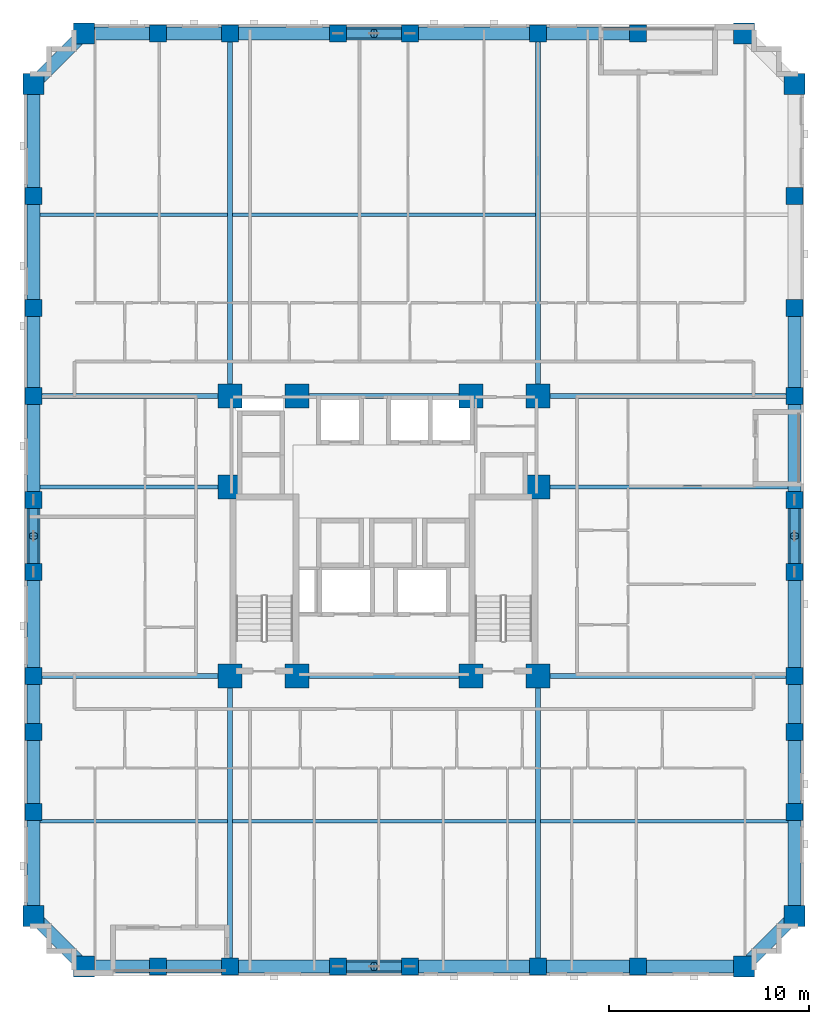
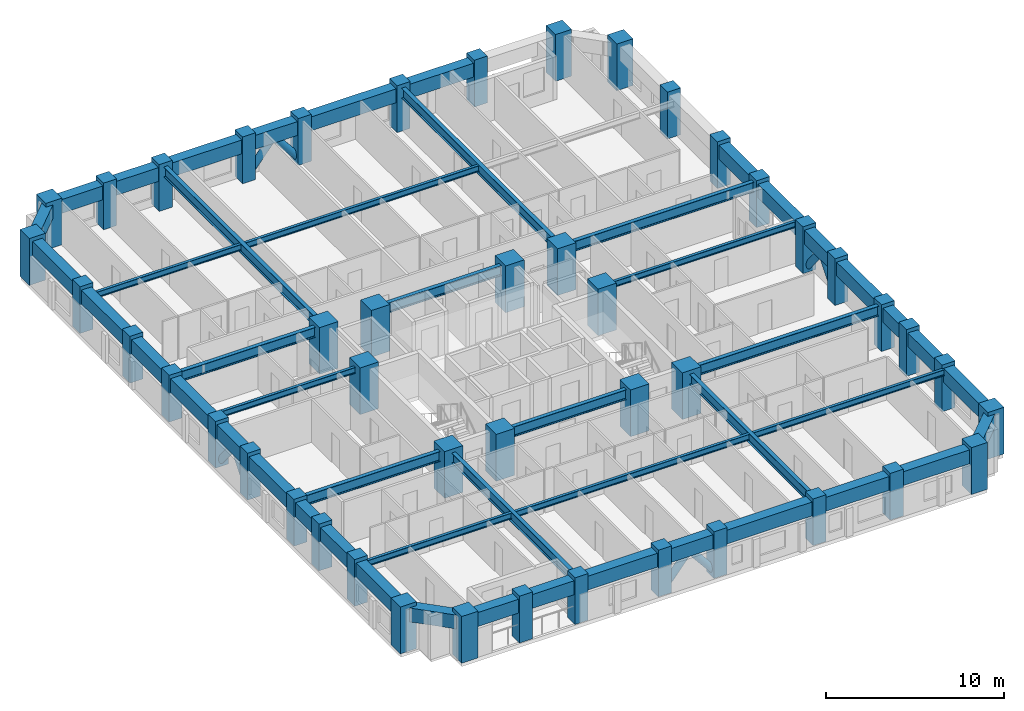
# One storey, part 1 of 14: 49 beams, 46 columns, 8 members.
"""IFC4 building model written with IfcOpenShell, lengths in metres."""

from ifc_helpers import new_model, si_unit, derived_unit, direction, frame, origin, origin_2d, place, context, subcontext, project, spatial, rectangle, hollow_circle, i_section, extrude, material, material_profile, profile_set, type_object, element, save


model = new_model("IFC4")

# Units and contexts
model_context = context("Model", 3, precision=1e-05, world=origin(), true_north=direction((0.0, 1.0)))
body_context = subcontext(model_context, "Body", "Model", "MODEL_VIEW")
ifc_project = project(units=[si_unit("LENGTHUNIT", "METRE"), si_unit("AREAUNIT", "SQUARE_METRE"), si_unit("VOLUMEUNIT", "CUBIC_METRE"), si_unit("PLANEANGLEUNIT", "RADIAN"), si_unit("MASSUNIT", "GRAM", prefix="KILO"), derived_unit("THERMALTRANSMITTANCEUNIT", [(si_unit("MASSUNIT", "GRAM", prefix="KILO"), 1), (si_unit("TIMEUNIT", "SECOND"), -3), (si_unit("THERMODYNAMICTEMPERATUREUNIT", "KELVIN"), -1)])], contexts=[model_context])

# Site, building, storey
site_placement = place(None, origin())
site = spatial("IfcSite", under=ifc_project, at=site_placement, CompositionType="ELEMENT")
building_placement = place(site_placement, origin())
building = spatial("IfcBuilding", under=site, at=building_placement, Name="Korrvale Station Residences", CompositionType="ELEMENT")
storey_placement = place(building_placement, frame((0.0, 0.0, 61.0)))
storey = spatial("IfcBuildingStorey", under=building, at=storey_placement, Name="L16", CompositionType="ELEMENT", Elevation=61.0)

# Columns
ifc_material_1 = material(Name="Concrete C70/85", Category="concrete")
ifc_material_profile_1 = material_profile(ifc_material_1, rectangle(XDim=1.050048828125, YDim=1.050048828125, at=origin_2d()), Name="RC1050x1050")
ifc_profile_set_1 = profile_set([ifc_material_profile_1], Name="Concrete C70/85")
column_type_1 = type_object("IfcColumnType", Name="COL-C-RC1050x1050-C7085", PredefinedType="COLUMN", material=ifc_profile_set_1)
for number, where, z_axis, x_axis, name in (
    (1, (10.5, 0.47998046875, 0.0), (0.0, 0.0, 1.0), (1.0, 0.0, 0.0), "L16 Bundled-Tube South Column 01"),
    (2, (43.5, 0.47998046875, 0.0), (0.0, 0.0, 1.0), (1.0, 0.0, 0.0), "L16 Bundled-Tube South Column 08"),
    (3, (10.5, 47.1201171875, 0.0), (0.0, 0.0, 1.0), (1.0, 0.0, 0.0), "L16 Bundled-Tube North Column 09"),
    (4, (43.5, 47.1201171875, 0.0), (0.0, 0.0, 1.0), (1.0, 0.0, 0.0), "L16 Bundled-Tube North Column 16"),
    (5, (7.97998046875, 3.0, 0.0), (0.0, 0.0, 1.0), (1.0, 0.0, 0.0), "L16 Bundled-Tube West Column 17"),
    (6, (7.97998046875, 44.60009765625, 0.0), (0.0, 0.0, 1.0), (1.0, 0.0, 0.0), "L16 Bundled-Tube West Column 26"),
    (7, (46.02001953125, 3.0, 0.0), (0.0, 0.0, 1.0), (1.0, 0.0, 0.0), "L16 Bundled-Tube East Column 27"),
    (8, (46.02001953125, 44.60009765625, 0.0), (0.0, 0.0, 1.0), (1.0, 0.0, 0.0), "L16 Bundled-Tube East Column 36"),
):
    element("IfcColumn", number, at=place(storey_placement, frame(where, z_axis=z_axis, x_axis=x_axis)), inside=storey, type_object=column_type_1, Name=name, PredefinedType="COLUMN", context=body_context, shape_type="SweptSolid", body=[
        extrude(rectangle(XDim=1.050048828125, YDim=1.050048828125, at=origin_2d()), origin(), (0.0, 0.0, 1.0), 3.199951171875),
    ])
ifc_material_profile_2 = material_profile(ifc_material_1, rectangle(XDim=1.199951171875, YDim=1.199951171875, at=origin_2d()), Name="RC1200x1200")
ifc_profile_set_2 = profile_set([ifc_material_profile_2], Name="Concrete C70/85")
column_type_2 = type_object("IfcColumnType", Name="COL-C-RC1200x1200-C7085", PredefinedType="COLUMN", material=ifc_profile_set_2)
for number, where, z_axis, x_axis, name in (
    (9, (17.800048828125, 15.0, 0.0), (0.0, 0.0, 1.0), (1.0, 0.0, 0.0), "L16 Core Column 01"),
    (10, (21.14990234375, 15.0, 0.0), (0.0, 0.0, 1.0), (1.0, 0.0, 0.0), "L16 Core Column 02"),
    (11, (29.85009765625, 15.0, 0.0), (0.0, 0.0, 1.0), (1.0, 0.0, 0.0), "L16 Core Column 03"),
    (12, (33.199951171875, 15.0, 0.0), (0.0, 0.0, 1.0), (1.0, 0.0, 0.0), "L16 Core Column 04"),
    (13, (17.800048828125, 29.0, 0.0), (0.0, 0.0, 1.0), (1.0, 0.0, 0.0), "L16 Core Column 05"),
    (14, (21.14990234375, 29.0, 0.0), (0.0, 0.0, 1.0), (1.0, 0.0, 0.0), "L16 Core Column 06"),
    (15, (29.85009765625, 29.0, 0.0), (0.0, 0.0, 1.0), (1.0, 0.0, 0.0), "L16 Core Column 07"),
    (16, (33.199951171875, 29.0, 0.0), (0.0, 0.0, 1.0), (1.0, 0.0, 0.0), "L16 Core Column 08"),
    (17, (17.800048828125, 24.449951171875, 0.0), (0.0, 0.0, 1.0), (1.0, 0.0, 0.0), "L16 Core Column 09"),
    (18, (33.199951171875, 24.449951171875, 0.0), (0.0, 0.0, 1.0), (1.0, 0.0, 0.0), "L16 Core Column 10"),
):
    element("IfcColumn", number, at=place(storey_placement, frame(where, z_axis=z_axis, x_axis=x_axis)), inside=storey, type_object=column_type_2, Name=name, PredefinedType="COLUMN", context=body_context, shape_type="SweptSolid", body=[
        extrude(rectangle(XDim=1.199951171875, YDim=1.199951171875, at=origin_2d()), origin(), (0.0, 0.0, 1.0), 3.199951171875),
    ])
ifc_material_profile_3 = material_profile(ifc_material_1, rectangle(XDim=0.85009765625, YDim=0.85009765625, at=origin_2d()), Name="RC850x850")
ifc_profile_set_3 = profile_set([ifc_material_profile_3], Name="Concrete C70/85")
column_type_3 = type_object("IfcColumnType", Name="COL-C-RC850x850-C7085", PredefinedType="COLUMN", material=ifc_profile_set_3)
for number, where, z_axis, x_axis, name in (
    (19, (14.199951171875, 0.47998046875, 0.0), (0.0, 0.0, 1.0), (1.0, 0.0, 0.0), "L16 Bundled-Tube South Column 02"),
    (20, (17.800048828125, 0.47998046875, 0.0), (0.0, 0.0, 1.0), (1.0, 0.0, 0.0), "L16 Bundled-Tube South Column 03"),
    (21, (23.199951171875, 0.47998046875, 0.0), (0.0, 0.0, 1.0), (1.0, 0.0, 0.0), "L16 Bundled-Tube South Column 04"),
    (22, (26.800048828125, 0.47998046875, 0.0), (0.0, 0.0, 1.0), (1.0, 0.0, 0.0), "L16 Bundled-Tube South Column 05"),
    (23, (33.199951171875, 0.47998046875, 0.0), (0.0, 0.0, 1.0), (1.0, 0.0, 0.0), "L16 Bundled-Tube South Column 06"),
    (24, (38.199951171875, 0.47998046875, 0.0), (0.0, 0.0, 1.0), (1.0, 0.0, 0.0), "L16 Bundled-Tube South Column 07"),
    (25, (14.199951171875, 47.1201171875, 0.0), (0.0, 0.0, 1.0), (1.0, 0.0, 0.0), "L16 Bundled-Tube North Column 10"),
    (26, (17.800048828125, 47.1201171875, 0.0), (0.0, 0.0, 1.0), (1.0, 0.0, 0.0), "L16 Bundled-Tube North Column 11"),
    (27, (23.199951171875, 47.1201171875, 0.0), (0.0, 0.0, 1.0), (1.0, 0.0, 0.0), "L16 Bundled-Tube North Column 12"),
    (28, (26.800048828125, 47.1201171875, 0.0), (0.0, 0.0, 1.0), (1.0, 0.0, 0.0), "L16 Bundled-Tube North Column 13"),
    (29, (33.199951171875, 47.1201171875, 0.0), (0.0, 0.0, 1.0), (1.0, 0.0, 0.0), "L16 Bundled-Tube North Column 14"),
    (30, (38.199951171875, 47.1201171875, 0.0), (0.0, 0.0, 1.0), (1.0, 0.0, 0.0), "L16 Bundled-Tube North Column 15"),
    (31, (7.97998046875, 8.199951171875, 0.0), (0.0, 0.0, 1.0), (1.0, 0.0, 0.0), "L16 Bundled-Tube West Column 18"),
    (32, (7.97998046875, 12.199951171875, 0.0), (0.0, 0.0, 1.0), (1.0, 0.0, 0.0), "L16 Bundled-Tube West Column 19"),
    (33, (7.97998046875, 15.0, 0.0), (0.0, 0.0, 1.0), (1.0, 0.0, 0.0), "L16 Bundled-Tube West Column 20"),
    (34, (7.97998046875, 20.199951171875, 0.0), (0.0, 0.0, 1.0), (1.0, 0.0, 0.0), "L16 Bundled-Tube West Column 21"),
    (35, (7.97998046875, 23.800048828125, 0.0), (0.0, 0.0, 1.0), (1.0, 0.0, 0.0), "L16 Bundled-Tube West Column 22"),
    (36, (7.97998046875, 29.0, 0.0), (0.0, 0.0, 1.0), (1.0, 0.0, 0.0), "L16 Bundled-Tube West Column 23"),
    (37, (7.97998046875, 33.39990234375, 0.0), (0.0, 0.0, 1.0), (1.0, 0.0, 0.0), "L16 Bundled-Tube West Column 24"),
    (38, (7.97998046875, 39.0, 0.0), (0.0, 0.0, 1.0), (1.0, 0.0, 0.0), "L16 Bundled-Tube West Column 25"),
    (39, (46.02001953125, 8.199951171875, 0.0), (0.0, 0.0, 1.0), (1.0, 0.0, 0.0), "L16 Bundled-Tube East Column 28"),
    (40, (46.02001953125, 12.199951171875, 0.0), (0.0, 0.0, 1.0), (1.0, 0.0, 0.0), "L16 Bundled-Tube East Column 29"),
    (41, (46.02001953125, 15.0, 0.0), (0.0, 0.0, 1.0), (1.0, 0.0, 0.0), "L16 Bundled-Tube East Column 30"),
    (42, (46.02001953125, 20.199951171875, 0.0), (0.0, 0.0, 1.0), (1.0, 0.0, 0.0), "L16 Bundled-Tube East Column 31"),
    (43, (46.02001953125, 23.800048828125, 0.0), (0.0, 0.0, 1.0), (1.0, 0.0, 0.0), "L16 Bundled-Tube East Column 32"),
    (44, (46.02001953125, 29.0, 0.0), (0.0, 0.0, 1.0), (1.0, 0.0, 0.0), "L16 Bundled-Tube East Column 33"),
    (45, (46.02001953125, 33.39990234375, 0.0), (0.0, 0.0, 1.0), (1.0, 0.0, 0.0), "L16 Bundled-Tube East Column 34"),
    (46, (46.02001953125, 39.0, 0.0), (0.0, 0.0, 1.0), (1.0, 0.0, 0.0), "L16 Bundled-Tube East Column 35"),
):
    element("IfcColumn", number, at=place(storey_placement, frame(where, z_axis=z_axis, x_axis=x_axis)), inside=storey, type_object=column_type_3, Name=name, PredefinedType="COLUMN", context=body_context, shape_type="SweptSolid", body=[
        extrude(rectangle(XDim=0.85009765625, YDim=0.85009765625, at=origin_2d()), origin(), (0.0, 0.0, 1.0), 3.199951171875),
    ])

# Beams
ifc_material_2 = material(Name="Steel S355", Category="steel")
ifc_material_profile_4 = material_profile(ifc_material_2, i_section(OverallWidth=0.256103515625, OverallDepth=0.693115234375, WebThickness=0.014404296875, FlangeThickness=0.023681640625, FilletRadius=0.02197265625, at=origin_2d()), Name="W690x170")
ifc_profile_set_4 = profile_set([ifc_material_profile_4], Name="Steel S355")
beam_type_1 = type_object("IfcBeamType", Name="BM-BM-W690x170-S355", PredefinedType="BEAM", material=ifc_profile_set_4)
for number, where, z_axis, x_axis, name in (
    (47, (17.800048828125, 0.47998046875, 2.593505859375), (0.0, 1.0, 0.0), (-1.0, 0.0, 0.0), "L16 Bundled-Tube Web Girder 01"),
    (48, (33.199951171875, 0.47998046875, 2.593505859375), (0.0, 1.0, 0.0), (-1.0, 0.0, 0.0), "L16 Bundled-Tube Web Girder 02"),
):
    element("IfcBeam", number, at=place(storey_placement, frame(where, z_axis=z_axis, x_axis=x_axis)), inside=storey, type_object=beam_type_1, Name=name, PredefinedType="BEAM", context=body_context, shape_type="SweptSolid", body=[
        extrude(i_section(OverallWidth=0.256103515625, OverallDepth=0.693115234375, WebThickness=0.014404296875, FlangeThickness=0.023681640625, FilletRadius=0.02197265625, at=origin_2d()), origin(), (0.0, 0.0, 1.0), 14.52001953125),
    ])
for number, where, z_axis, x_axis, name in (
    (49, (17.800048828125, 29.0, 2.593505859375), (0.0, 1.0, 0.0), (-1.0, 0.0, 0.0), "L16 Bundled-Tube Web Girder 03"),
    (50, (33.199951171875, 29.0, 2.593505859375), (0.0, 1.0, 0.0), (-1.0, 0.0, 0.0), "L16 Bundled-Tube Web Girder 04"),
):
    element("IfcBeam", number, at=place(storey_placement, frame(where, z_axis=z_axis, x_axis=x_axis)), inside=storey, type_object=beam_type_1, Name=name, PredefinedType="BEAM", context=body_context, shape_type="SweptSolid", body=[
        extrude(i_section(OverallWidth=0.256103515625, OverallDepth=0.693115234375, WebThickness=0.014404296875, FlangeThickness=0.023681640625, FilletRadius=0.02197265625, at=origin_2d()), origin(), (0.0, 0.0, 1.0), 18.1201171875),
    ])
beam_1_placement = place(storey_placement, frame((7.97998046875, 15.0, 2.593505859375), z_axis=(1.0, 0.0, 0.0), x_axis=(0.0, 1.0, 0.0)))
element("IfcBeam", 51, at=beam_1_placement, inside=storey, type_object=beam_type_1, Name="L16 Bundled-Tube Web Girder 05", PredefinedType="BEAM", context=body_context, shape_type="SweptSolid", body=[
    extrude(i_section(OverallWidth=0.256103515625, OverallDepth=0.693115234375, WebThickness=0.014404296875, FlangeThickness=0.023681640625, FilletRadius=0.02197265625, at=origin_2d()), origin(), (0.0, 0.0, 1.0), 9.820068359375),
])
beam_2_placement = place(storey_placement, frame((33.199951171875, 15.0, 2.593505859375), z_axis=(1.0, 0.0, 0.0), x_axis=(0.0, 1.0, 0.0)))
element("IfcBeam", 52, at=beam_2_placement, inside=storey, type_object=beam_type_1, Name="L16 Bundled-Tube Web Girder 06", PredefinedType="BEAM", context=body_context, shape_type="SweptSolid", body=[
    extrude(i_section(OverallWidth=0.256103515625, OverallDepth=0.693115234375, WebThickness=0.014404296875, FlangeThickness=0.023681640625, FilletRadius=0.02197265625, at=origin_2d()), origin(), (0.0, 0.0, 1.0), 12.820068359375),
])
beam_3_placement = place(storey_placement, frame((7.97998046875, 29.0, 2.593505859375), z_axis=(1.0, 0.0, 0.0), x_axis=(0.0, 1.0, 0.0)))
element("IfcBeam", 53, at=beam_3_placement, inside=storey, type_object=beam_type_1, Name="L16 Bundled-Tube Web Girder 07", PredefinedType="BEAM", context=body_context, shape_type="SweptSolid", body=[
    extrude(i_section(OverallWidth=0.256103515625, OverallDepth=0.693115234375, WebThickness=0.014404296875, FlangeThickness=0.023681640625, FilletRadius=0.02197265625, at=origin_2d()), origin(), (0.0, 0.0, 1.0), 9.820068359375),
])
beam_4_placement = place(storey_placement, frame((33.199951171875, 29.0, 2.593505859375), z_axis=(1.0, 0.0, 0.0), x_axis=(0.0, 1.0, 0.0)))
element("IfcBeam", 54, at=beam_4_placement, inside=storey, type_object=beam_type_1, Name="L16 Bundled-Tube Web Girder 08", PredefinedType="BEAM", context=body_context, shape_type="SweptSolid", body=[
    extrude(i_section(OverallWidth=0.256103515625, OverallDepth=0.693115234375, WebThickness=0.014404296875, FlangeThickness=0.023681640625, FilletRadius=0.02197265625, at=origin_2d()), origin(), (0.0, 0.0, 1.0), 12.820068359375),
])
for number, where, z_axis, x_axis, name in (
    (55, (21.14990234375, 15.0, 2.593505859375), (1.0, 0.0, 0.0), (0.0, 1.0, 0.0), "L16 Bundled-Tube Web Girder 09"),
    (56, (21.14990234375, 29.0, 2.593505859375), (1.0, 0.0, 0.0), (0.0, 1.0, 0.0), "L16 Bundled-Tube Web Girder 10"),
):
    element("IfcBeam", number, at=place(storey_placement, frame(where, z_axis=z_axis, x_axis=x_axis)), inside=storey, type_object=beam_type_1, Name=name, PredefinedType="BEAM", context=body_context, shape_type="SweptSolid", body=[
        extrude(i_section(OverallWidth=0.256103515625, OverallDepth=0.693115234375, WebThickness=0.014404296875, FlangeThickness=0.023681640625, FilletRadius=0.02197265625, at=origin_2d()), origin(), (0.0, 0.0, 1.0), 8.7001953125),
    ])
ifc_material_profile_5 = material_profile(ifc_material_2, i_section(OverallWidth=0.180908203125, OverallDepth=0.4169921875, WebThickness=0.010986328125, FlangeThickness=0.018310546875, FilletRadius=0.01611328125, at=origin_2d()), Name="W410x85")
ifc_profile_set_5 = profile_set([ifc_material_profile_5], Name="Steel S355")
beam_type_2 = type_object("IfcBeamType", Name="BM-JST-W410x85-S355", PredefinedType="JOIST", material=ifc_profile_set_5)
beam_5_placement = place(storey_placement, frame((8.304931640625, 7.739990234375, 2.7314453125), z_axis=(1.0, 0.0, 0.0), x_axis=(0.0, 1.0, 0.0)))
element("IfcBeam", 57, at=beam_5_placement, inside=storey, type_object=beam_type_2, Name="L16 Floor Framing Joist 01", PredefinedType="JOIST", context=body_context, shape_type="SweptSolid", body=[
    extrude(i_section(OverallWidth=0.180908203125, OverallDepth=0.4169921875, WebThickness=0.010986328125, FlangeThickness=0.018310546875, FilletRadius=0.01611328125, at=origin_2d()), origin(), (0.0, 0.0, 1.0), 9.3671875),
])
beam_6_placement = place(storey_placement, frame((17.927978515625, 7.739990234375, 2.7314453125), z_axis=(1.0, 0.0, 0.0), x_axis=(0.0, 1.0, 0.0)))
element("IfcBeam", 58, at=beam_6_placement, inside=storey, type_object=beam_type_2, Name="L16 Floor Framing Joist 02", PredefinedType="JOIST", context=body_context, shape_type="SweptSolid", body=[
    extrude(i_section(OverallWidth=0.180908203125, OverallDepth=0.4169921875, WebThickness=0.010986328125, FlangeThickness=0.018310546875, FilletRadius=0.01611328125, at=origin_2d()), origin(), (0.0, 0.0, 1.0), 15.14404296875),
])
beam_7_placement = place(storey_placement, frame((33.327880859375, 7.739990234375, 2.7314453125), z_axis=(1.0, 0.0, 0.0), x_axis=(0.0, 1.0, 0.0)))
element("IfcBeam", 59, at=beam_7_placement, inside=storey, type_object=beam_type_2, Name="L16 Floor Framing Joist 03", PredefinedType="JOIST", context=body_context, shape_type="SweptSolid", body=[
    extrude(i_section(OverallWidth=0.180908203125, OverallDepth=0.4169921875, WebThickness=0.010986328125, FlangeThickness=0.018310546875, FilletRadius=0.01611328125, at=origin_2d()), origin(), (0.0, 0.0, 1.0), 12.3671875),
])
beam_8_placement = place(storey_placement, frame((8.304931640625, 38.06005859375, 2.7314453125), z_axis=(1.0, 0.0, 0.0), x_axis=(0.0, 1.0, 0.0)))
element("IfcBeam", 60, at=beam_8_placement, inside=storey, type_object=beam_type_2, Name="L16 Floor Framing Joist 04", PredefinedType="JOIST", context=body_context, shape_type="SweptSolid", body=[
    extrude(i_section(OverallWidth=0.180908203125, OverallDepth=0.4169921875, WebThickness=0.010986328125, FlangeThickness=0.018310546875, FilletRadius=0.01611328125, at=origin_2d()), origin(), (0.0, 0.0, 1.0), 9.3671875),
])
beam_9_placement = place(storey_placement, frame((17.927978515625, 38.06005859375, 2.7314453125), z_axis=(1.0, 0.0, 0.0), x_axis=(0.0, 1.0, 0.0)))
element("IfcBeam", 61, at=beam_9_placement, inside=storey, type_object=beam_type_2, Name="L16 Floor Framing Joist 05", PredefinedType="JOIST", context=body_context, shape_type="SweptSolid", body=[
    extrude(i_section(OverallWidth=0.180908203125, OverallDepth=0.4169921875, WebThickness=0.010986328125, FlangeThickness=0.018310546875, FilletRadius=0.01611328125, at=origin_2d()), origin(), (0.0, 0.0, 1.0), 15.14404296875),
])
beam_10_placement = place(storey_placement, frame((33.199951171875, 24.449951171875, 2.7314453125), z_axis=(1.0, 0.0, 0.0), x_axis=(0.0, 1.0, 0.0)))
element("IfcBeam", 62, at=beam_10_placement, inside=storey, type_object=beam_type_2, Name="L16 Floor Framing Joist 07", PredefinedType="JOIST", context=body_context, shape_type="SweptSolid", body=[
    extrude(i_section(OverallWidth=0.180908203125, OverallDepth=0.4169921875, WebThickness=0.010986328125, FlangeThickness=0.018310546875, FilletRadius=0.01611328125, at=origin_2d()), origin(), (0.0, 0.0, 1.0), 12.4951171875),
])
beam_11_placement = place(storey_placement, frame((8.304931640625, 24.449951171875, 2.7314453125), z_axis=(1.0, 0.0, 0.0), x_axis=(0.0, 1.0, 0.0)))
element("IfcBeam", 63, at=beam_11_placement, inside=storey, type_object=beam_type_2, Name="L16 Floor Framing Joist 08", PredefinedType="JOIST", context=body_context, shape_type="SweptSolid", body=[
    extrude(i_section(OverallWidth=0.180908203125, OverallDepth=0.4169921875, WebThickness=0.010986328125, FlangeThickness=0.018310546875, FilletRadius=0.01611328125, at=origin_2d()), origin(), (0.0, 0.0, 1.0), 9.4951171875),
])
ifc_material_profile_6 = material_profile(ifc_material_1, rectangle(XDim=0.64990234375, YDim=0.949951171875, at=origin_2d()), Name="RCB650x950")
ifc_profile_set_6 = profile_set([ifc_material_profile_6], Name="Concrete C70/85")
beam_type_3 = type_object("IfcBeamType", Name="BM-SPB-RCB650x950-C7085", PredefinedType="SPANDREL", material=ifc_profile_set_6)
beam_12_placement = place(storey_placement, frame((10.5, 0.47998046875, 2.465087890625), z_axis=(1.0, 0.0, 0.0), x_axis=(0.0, 1.0, 0.0)))
element("IfcBeam", 64, at=beam_12_placement, inside=storey, type_object=beam_type_3, Name="L16 South Tube Spandrel 01", PredefinedType="SPANDREL", context=body_context, shape_type="SweptSolid", body=[
    extrude(rectangle(XDim=0.64990234375, YDim=0.949951171875, at=origin_2d()), origin(), (0.0, 0.0, 1.0), 3.699951171875),
])
beam_13_placement = place(storey_placement, frame((14.199951171875, 0.47998046875, 2.465087890625), z_axis=(1.0, 0.0, 0.0), x_axis=(0.0, 1.0, 0.0)))
element("IfcBeam", 65, at=beam_13_placement, inside=storey, type_object=beam_type_3, Name="L16 South Tube Spandrel 02", PredefinedType="SPANDREL", context=body_context, shape_type="SweptSolid", body=[
    extrude(rectangle(XDim=0.64990234375, YDim=0.949951171875, at=origin_2d()), origin(), (0.0, 0.0, 1.0), 3.60009765625),
])
beam_14_placement = place(storey_placement, frame((17.800048828125, 0.47998046875, 2.465087890625), z_axis=(1.0, 0.0, 0.0), x_axis=(0.0, 1.0, 0.0)))
element("IfcBeam", 66, at=beam_14_placement, inside=storey, type_object=beam_type_3, Name="L16 South Tube Spandrel 03", PredefinedType="SPANDREL", context=body_context, shape_type="SweptSolid", body=[
    extrude(rectangle(XDim=0.64990234375, YDim=0.949951171875, at=origin_2d()), origin(), (0.0, 0.0, 1.0), 5.39990234375),
])
beam_15_placement = place(storey_placement, frame((23.199951171875, 0.47998046875, 2.465087890625), z_axis=(1.0, 0.0, 0.0), x_axis=(0.0, 1.0, 0.0)))
element("IfcBeam", 67, at=beam_15_placement, inside=storey, type_object=beam_type_3, Name="L16 South Tube Spandrel 04", PredefinedType="SPANDREL", context=body_context, shape_type="SweptSolid", body=[
    extrude(rectangle(XDim=0.64990234375, YDim=0.949951171875, at=origin_2d()), origin(), (0.0, 0.0, 1.0), 3.60009765625),
])
beam_16_placement = place(storey_placement, frame((26.800048828125, 0.47998046875, 2.465087890625), z_axis=(1.0, 0.0, 0.0), x_axis=(0.0, 1.0, 0.0)))
element("IfcBeam", 68, at=beam_16_placement, inside=storey, type_object=beam_type_3, Name="L16 South Tube Spandrel 05", PredefinedType="SPANDREL", context=body_context, shape_type="SweptSolid", body=[
    extrude(rectangle(XDim=0.64990234375, YDim=0.949951171875, at=origin_2d()), origin(), (0.0, 0.0, 1.0), 6.39990234375),
])
beam_17_placement = place(storey_placement, frame((33.199951171875, 0.47998046875, 2.465087890625), z_axis=(1.0, 0.0, 0.0), x_axis=(0.0, 1.0, 0.0)))
element("IfcBeam", 69, at=beam_17_placement, inside=storey, type_object=beam_type_3, Name="L16 South Tube Spandrel 06", PredefinedType="SPANDREL", context=body_context, shape_type="SweptSolid", body=[
    extrude(rectangle(XDim=0.64990234375, YDim=0.949951171875, at=origin_2d()), origin(), (0.0, 0.0, 1.0), 5.0),
])
beam_18_placement = place(storey_placement, frame((38.199951171875, 0.47998046875, 2.465087890625), z_axis=(1.0, 0.0, 0.0), x_axis=(0.0, 1.0, 0.0)))
element("IfcBeam", 70, at=beam_18_placement, inside=storey, type_object=beam_type_3, Name="L16 South Tube Spandrel 07", PredefinedType="SPANDREL", context=body_context, shape_type="SweptSolid", body=[
    extrude(rectangle(XDim=0.64990234375, YDim=0.949951171875, at=origin_2d()), origin(), (0.0, 0.0, 1.0), 5.300048828125),
])
beam_19_placement = place(storey_placement, frame((10.5, 47.1201171875, 2.465087890625), z_axis=(1.0, 0.0, 0.0), x_axis=(0.0, 1.0, 0.0)))
element("IfcBeam", 71, at=beam_19_placement, inside=storey, type_object=beam_type_3, Name="L16 North Tube Spandrel 08", PredefinedType="SPANDREL", context=body_context, shape_type="SweptSolid", body=[
    extrude(rectangle(XDim=0.64990234375, YDim=0.949951171875, at=origin_2d()), origin(), (0.0, 0.0, 1.0), 3.699951171875),
])
beam_20_placement = place(storey_placement, frame((14.199951171875, 47.1201171875, 2.465087890625), z_axis=(1.0, 0.0, 0.0), x_axis=(0.0, 1.0, 0.0)))
element("IfcBeam", 72, at=beam_20_placement, inside=storey, type_object=beam_type_3, Name="L16 North Tube Spandrel 09", PredefinedType="SPANDREL", context=body_context, shape_type="SweptSolid", body=[
    extrude(rectangle(XDim=0.64990234375, YDim=0.949951171875, at=origin_2d()), origin(), (0.0, 0.0, 1.0), 3.60009765625),
])
beam_21_placement = place(storey_placement, frame((17.800048828125, 47.1201171875, 2.465087890625), z_axis=(1.0, 0.0, 0.0), x_axis=(0.0, 1.0, 0.0)))
element("IfcBeam", 73, at=beam_21_placement, inside=storey, type_object=beam_type_3, Name="L16 North Tube Spandrel 10", PredefinedType="SPANDREL", context=body_context, shape_type="SweptSolid", body=[
    extrude(rectangle(XDim=0.64990234375, YDim=0.949951171875, at=origin_2d()), origin(), (0.0, 0.0, 1.0), 5.39990234375),
])
beam_22_placement = place(storey_placement, frame((23.199951171875, 47.1201171875, 2.465087890625), z_axis=(1.0, 0.0, 0.0), x_axis=(0.0, 1.0, 0.0)))
element("IfcBeam", 74, at=beam_22_placement, inside=storey, type_object=beam_type_3, Name="L16 North Tube Spandrel 11", PredefinedType="SPANDREL", context=body_context, shape_type="SweptSolid", body=[
    extrude(rectangle(XDim=0.64990234375, YDim=0.949951171875, at=origin_2d()), origin(), (0.0, 0.0, 1.0), 3.60009765625),
])
beam_23_placement = place(storey_placement, frame((26.800048828125, 47.1201171875, 2.465087890625), z_axis=(1.0, 0.0, 0.0), x_axis=(0.0, 1.0, 0.0)))
element("IfcBeam", 75, at=beam_23_placement, inside=storey, type_object=beam_type_3, Name="L16 North Tube Spandrel 12", PredefinedType="SPANDREL", context=body_context, shape_type="SweptSolid", body=[
    extrude(rectangle(XDim=0.64990234375, YDim=0.949951171875, at=origin_2d()), origin(), (0.0, 0.0, 1.0), 6.39990234375),
])
beam_24_placement = place(storey_placement, frame((33.199951171875, 47.1201171875, 2.465087890625), z_axis=(1.0, 0.0, 0.0), x_axis=(0.0, 1.0, 0.0)))
element("IfcBeam", 76, at=beam_24_placement, inside=storey, type_object=beam_type_3, Name="L16 North Tube Spandrel 13", PredefinedType="SPANDREL", context=body_context, shape_type="SweptSolid", body=[
    extrude(rectangle(XDim=0.64990234375, YDim=0.949951171875, at=origin_2d()), origin(), (0.0, 0.0, 1.0), 5.0),
])
beam_25_placement = place(storey_placement, frame((7.97998046875, 3.0, 2.465087890625), z_axis=(0.0, 1.0, 0.0), x_axis=(-1.0, 0.0, 0.0)))
element("IfcBeam", 77, at=beam_25_placement, inside=storey, type_object=beam_type_3, Name="L16 West Tube Spandrel 15", PredefinedType="SPANDREL", context=body_context, shape_type="SweptSolid", body=[
    extrude(rectangle(XDim=0.64990234375, YDim=0.949951171875, at=origin_2d()), origin(), (0.0, 0.0, 1.0), 5.199951171875),
])
beam_26_placement = place(storey_placement, frame((7.97998046875, 8.199951171875, 2.465087890625), z_axis=(0.0, 1.0, 0.0), x_axis=(-1.0, 0.0, 0.0)))
element("IfcBeam", 78, at=beam_26_placement, inside=storey, type_object=beam_type_3, Name="L16 West Tube Spandrel 16", PredefinedType="SPANDREL", context=body_context, shape_type="SweptSolid", body=[
    extrude(rectangle(XDim=0.64990234375, YDim=0.949951171875, at=origin_2d()), origin(), (0.0, 0.0, 1.0), 4.0),
])
beam_27_placement = place(storey_placement, frame((7.97998046875, 12.199951171875, 2.465087890625), z_axis=(0.0, 1.0, 0.0), x_axis=(-1.0, 0.0, 0.0)))
element("IfcBeam", 79, at=beam_27_placement, inside=storey, type_object=beam_type_3, Name="L16 West Tube Spandrel 17", PredefinedType="SPANDREL", context=body_context, shape_type="SweptSolid", body=[
    extrude(rectangle(XDim=0.64990234375, YDim=0.949951171875, at=origin_2d()), origin(), (0.0, 0.0, 1.0), 2.800048828125),
])
beam_28_placement = place(storey_placement, frame((7.97998046875, 15.0, 2.465087890625), z_axis=(0.0, 1.0, 0.0), x_axis=(-1.0, 0.0, 0.0)))
element("IfcBeam", 80, at=beam_28_placement, inside=storey, type_object=beam_type_3, Name="L16 West Tube Spandrel 18", PredefinedType="SPANDREL", context=body_context, shape_type="SweptSolid", body=[
    extrude(rectangle(XDim=0.64990234375, YDim=0.949951171875, at=origin_2d()), origin(), (0.0, 0.0, 1.0), 5.199951171875),
])
beam_29_placement = place(storey_placement, frame((7.97998046875, 20.199951171875, 2.465087890625), z_axis=(0.0, 1.0, 0.0), x_axis=(-1.0, 0.0, 0.0)))
element("IfcBeam", 81, at=beam_29_placement, inside=storey, type_object=beam_type_3, Name="L16 West Tube Spandrel 19", PredefinedType="SPANDREL", context=body_context, shape_type="SweptSolid", body=[
    extrude(rectangle(XDim=0.64990234375, YDim=0.949951171875, at=origin_2d()), origin(), (0.0, 0.0, 1.0), 3.60009765625),
])
beam_30_placement = place(storey_placement, frame((7.97998046875, 23.800048828125, 2.465087890625), z_axis=(0.0, 1.0, 0.0), x_axis=(-1.0, 0.0, 0.0)))
element("IfcBeam", 82, at=beam_30_placement, inside=storey, type_object=beam_type_3, Name="L16 West Tube Spandrel 20", PredefinedType="SPANDREL", context=body_context, shape_type="SweptSolid", body=[
    extrude(rectangle(XDim=0.64990234375, YDim=0.949951171875, at=origin_2d()), origin(), (0.0, 0.0, 1.0), 5.199951171875),
])
beam_31_placement = place(storey_placement, frame((7.97998046875, 29.0, 2.465087890625), z_axis=(0.0, 1.0, 0.0), x_axis=(-1.0, 0.0, 0.0)))
element("IfcBeam", 83, at=beam_31_placement, inside=storey, type_object=beam_type_3, Name="L16 West Tube Spandrel 21", PredefinedType="SPANDREL", context=body_context, shape_type="SweptSolid", body=[
    extrude(rectangle(XDim=0.64990234375, YDim=0.949951171875, at=origin_2d()), origin(), (0.0, 0.0, 1.0), 4.39990234375),
])
for number, where, z_axis, x_axis, name in (
    (84, (7.97998046875, 33.39990234375, 2.465087890625), (0.0, 1.0, 0.0), (-1.0, 0.0, 0.0), "L16 West Tube Spandrel 22"),
    (85, (7.97998046875, 39.0, 2.465087890625), (0.0, 1.0, 0.0), (-1.0, 0.0, 0.0), "L16 West Tube Spandrel 23"),
):
    element("IfcBeam", number, at=place(storey_placement, frame(where, z_axis=z_axis, x_axis=x_axis)), inside=storey, type_object=beam_type_3, Name=name, PredefinedType="SPANDREL", context=body_context, shape_type="SweptSolid", body=[
        extrude(rectangle(XDim=0.64990234375, YDim=0.949951171875, at=origin_2d()), origin(), (0.0, 0.0, 1.0), 5.60009765625),
    ])
beam_32_placement = place(storey_placement, frame((46.02001953125, 3.0, 2.465087890625), z_axis=(0.0, 1.0, 0.0), x_axis=(-1.0, 0.0, 0.0)))
element("IfcBeam", 86, at=beam_32_placement, inside=storey, type_object=beam_type_3, Name="L16 East Tube Spandrel 24", PredefinedType="SPANDREL", context=body_context, shape_type="SweptSolid", body=[
    extrude(rectangle(XDim=0.64990234375, YDim=0.949951171875, at=origin_2d()), origin(), (0.0, 0.0, 1.0), 5.199951171875),
])
beam_33_placement = place(storey_placement, frame((46.02001953125, 8.199951171875, 2.465087890625), z_axis=(0.0, 1.0, 0.0), x_axis=(-1.0, 0.0, 0.0)))
element("IfcBeam", 87, at=beam_33_placement, inside=storey, type_object=beam_type_3, Name="L16 East Tube Spandrel 25", PredefinedType="SPANDREL", context=body_context, shape_type="SweptSolid", body=[
    extrude(rectangle(XDim=0.64990234375, YDim=0.949951171875, at=origin_2d()), origin(), (0.0, 0.0, 1.0), 4.0),
])
beam_34_placement = place(storey_placement, frame((46.02001953125, 12.199951171875, 2.465087890625), z_axis=(0.0, 1.0, 0.0), x_axis=(-1.0, 0.0, 0.0)))
element("IfcBeam", 88, at=beam_34_placement, inside=storey, type_object=beam_type_3, Name="L16 East Tube Spandrel 26", PredefinedType="SPANDREL", context=body_context, shape_type="SweptSolid", body=[
    extrude(rectangle(XDim=0.64990234375, YDim=0.949951171875, at=origin_2d()), origin(), (0.0, 0.0, 1.0), 2.800048828125),
])
beam_35_placement = place(storey_placement, frame((46.02001953125, 15.0, 2.465087890625), z_axis=(0.0, 1.0, 0.0), x_axis=(-1.0, 0.0, 0.0)))
element("IfcBeam", 89, at=beam_35_placement, inside=storey, type_object=beam_type_3, Name="L16 East Tube Spandrel 27", PredefinedType="SPANDREL", context=body_context, shape_type="SweptSolid", body=[
    extrude(rectangle(XDim=0.64990234375, YDim=0.949951171875, at=origin_2d()), origin(), (0.0, 0.0, 1.0), 5.199951171875),
])
beam_36_placement = place(storey_placement, frame((46.02001953125, 20.199951171875, 2.465087890625), z_axis=(0.0, 1.0, 0.0), x_axis=(-1.0, 0.0, 0.0)))
element("IfcBeam", 90, at=beam_36_placement, inside=storey, type_object=beam_type_3, Name="L16 East Tube Spandrel 28", PredefinedType="SPANDREL", context=body_context, shape_type="SweptSolid", body=[
    extrude(rectangle(XDim=0.64990234375, YDim=0.949951171875, at=origin_2d()), origin(), (0.0, 0.0, 1.0), 3.60009765625),
])
beam_37_placement = place(storey_placement, frame((46.02001953125, 23.800048828125, 2.465087890625), z_axis=(0.0, 1.0, 0.0), x_axis=(-1.0, 0.0, 0.0)))
element("IfcBeam", 91, at=beam_37_placement, inside=storey, type_object=beam_type_3, Name="L16 East Tube Spandrel 29", PredefinedType="SPANDREL", context=body_context, shape_type="SweptSolid", body=[
    extrude(rectangle(XDim=0.64990234375, YDim=0.949951171875, at=origin_2d()), origin(), (0.0, 0.0, 1.0), 5.199951171875),
])
beam_38_placement = place(storey_placement, frame((46.02001953125, 29.0, 2.465087890625), z_axis=(0.0, 1.0, 0.0), x_axis=(-1.0, 0.0, 0.0)))
element("IfcBeam", 92, at=beam_38_placement, inside=storey, type_object=beam_type_3, Name="L16 East Tube Spandrel 30", PredefinedType="SPANDREL", context=body_context, shape_type="SweptSolid", body=[
    extrude(rectangle(XDim=0.64990234375, YDim=0.949951171875, at=origin_2d()), origin(), (0.0, 0.0, 1.0), 4.39990234375),
])
for number, where, z_axis, x_axis, name in (
    (93, (10.5, 0.47998046875, 2.465087890625), (-0.707106781187, 0.707106781187, 0.0), (-0.707106781187, -0.707106781187, 0.0), "L16 Serrated Corner Spandrel 33"),
    (94, (43.5, 0.47998046875, 2.465087890625), (0.707106781187, 0.707106781187, 0.0), (-0.707106781187, 0.707106781187, 0.0), "L16 Serrated Corner Spandrel 34"),
    (95, (10.5, 47.1201171875, 2.465087890625), (-0.707106781187, -0.707106781187, 0.0), (0.707106781187, -0.707106781187, 0.0), "L16 Serrated Corner Spandrel 36"),
):
    element("IfcBeam", number, at=place(storey_placement, frame(where, z_axis=z_axis, x_axis=x_axis)), inside=storey, type_object=beam_type_3, Name=name, PredefinedType="SPANDREL", context=body_context, shape_type="SweptSolid", body=[
        extrude(rectangle(XDim=0.64990234375, YDim=0.949951171875, at=origin_2d()), origin(), (0.0, 0.0, 1.0), 3.56396484375),
    ])

# Members
ifc_material_profile_7 = material_profile(ifc_material_2, hollow_circle(Radius=0.228515625, WallThickness=0.01904296875, at=origin_2d()), Name="HSS457x19")
ifc_profile_set_7 = profile_set([ifc_material_profile_7], Name="Steel S355")
member_type = type_object("IfcMemberType", Name="MBR-BR-HSS457x19", PredefinedType="BRACE", material=ifc_profile_set_7)
for number, where, z_axis, x_axis, name in (
    (96, (23.199951171875, 0.47998046875, 0.02001953125), (0.634985494602, 0.0, 0.772524058942), (0.0, 1.0, 0.0), "L16 S Perimeter Tube Wind Brace 1"),
    (97, (26.800048828125, 0.47998046875, 0.02001953125), (-0.634985494602, 0.0, 0.772524058942), (0.0, -1.0, 0.0), "L16 S Perimeter Tube Wind Brace 2"),
    (98, (23.199951171875, 47.1201171875, 0.02001953125), (0.634985494602, 0.0, 0.772524058942), (0.0, 1.0, 0.0), "L16 N Perimeter Tube Wind Brace 1"),
    (99, (26.800048828125, 47.1201171875, 0.02001953125), (-0.634985494602, 0.0, 0.772524058942), (0.0, -1.0, 0.0), "L16 N Perimeter Tube Wind Brace 2"),
    (100, (7.97998046875, 20.199951171875, 0.02001953125), (0.0, 0.634985494602, 0.772524058942), (-1.0, 0.0, 0.0), "L16 W Perimeter Tube Wind Brace 1"),
    (101, (7.97998046875, 23.800048828125, 0.02001953125), (0.0, -0.634985494602, 0.772524058942), (1.0, 0.0, 0.0), "L16 W Perimeter Tube Wind Brace 2"),
    (102, (46.02001953125, 20.199951171875, 0.02001953125), (0.0, 0.634985494602, 0.772524058942), (-1.0, 0.0, 0.0), "L16 E Perimeter Tube Wind Brace 1"),
    (103, (46.02001953125, 23.800048828125, 0.02001953125), (0.0, -0.634985494602, 0.772524058942), (1.0, 0.0, 0.0), "L16 E Perimeter Tube Wind Brace 2"),
):
    element("IfcMember", number, at=place(storey_placement, frame(where, z_axis=z_axis, x_axis=x_axis)), inside=storey, type_object=member_type, Name=name, PredefinedType="BRACE", context=body_context, shape_type="SweptSolid", body=[
        extrude(hollow_circle(Radius=0.228515625, WallThickness=0.01904296875, at=origin_2d()), origin(), (0.0, 0.0, 1.0), 2.834716796875),
    ])

save(model, "model.ifc")
